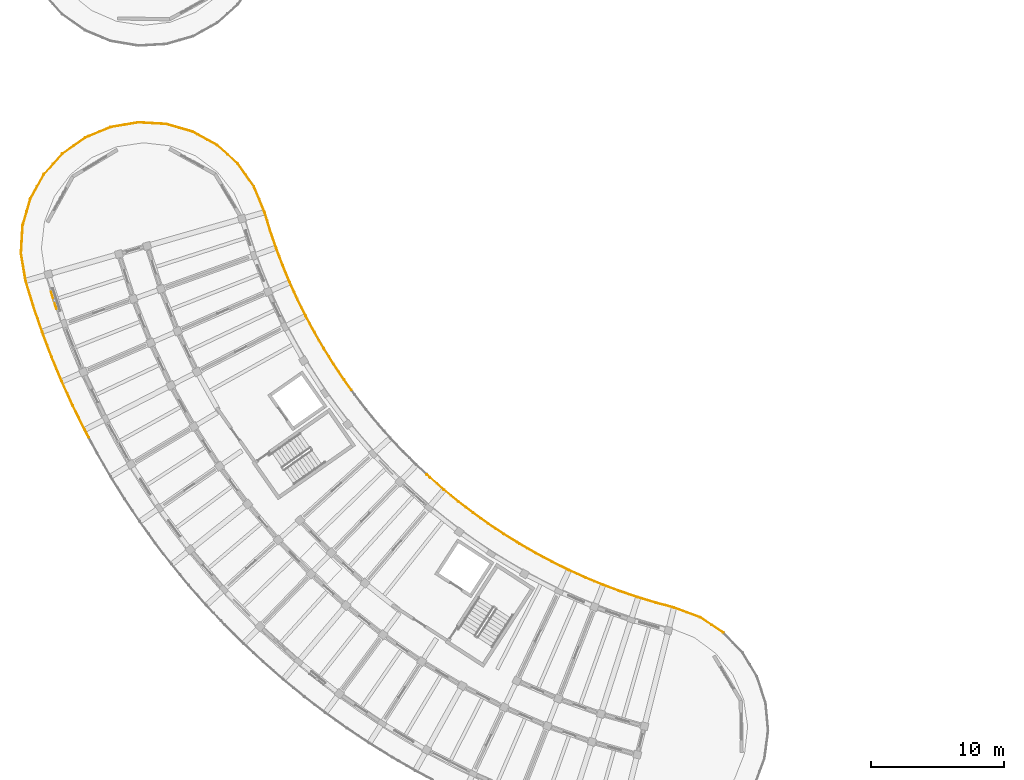
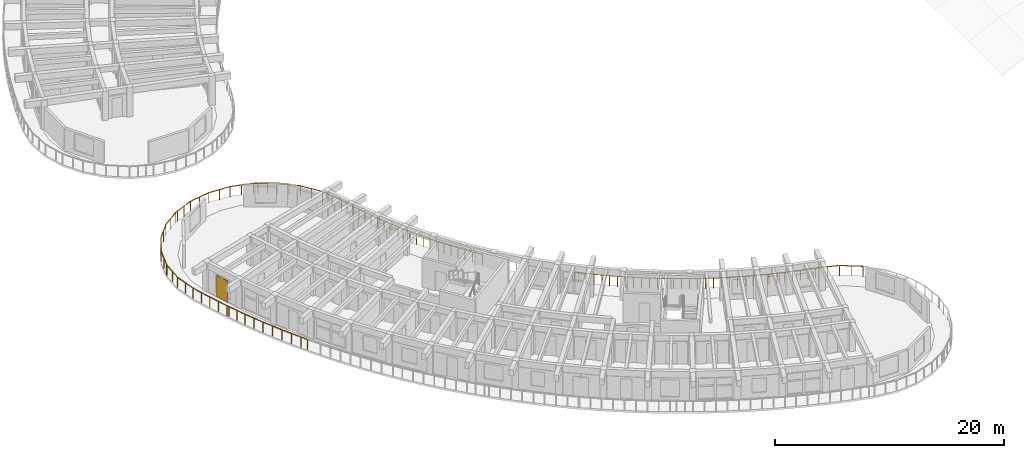
# One storey, part 82 of 96: 10 railings, 1 shading device.
"""IFC4 building model written with IfcOpenShell, lengths in metres."""

from ifc_helpers import new_model, si_unit, direction, frame, origin, origin_2d, place, context, subcontext, project, spatial, rectangle, circle, extrude, material, layer, layer_set, type_object, element, save


model = new_model("IFC4")

# Units and contexts
model_context = context("Model", 3, precision=1e-05, world=origin(), true_north=direction((0.0, 1.0)))
body_context = subcontext(model_context, "Body", "Model", "MODEL_VIEW")
ifc_project = project(units=[si_unit("LENGTHUNIT", "METRE"), si_unit("AREAUNIT", "SQUARE_METRE"), si_unit("VOLUMEUNIT", "CUBIC_METRE"), si_unit("PLANEANGLEUNIT", "RADIAN"), si_unit("MASSUNIT", "GRAM", prefix="KILO")], contexts=[model_context])

# Site, building, storey
site_placement = place(None, origin())
site = spatial("IfcSite", under=ifc_project, at=site_placement, CompositionType="ELEMENT")
building_placement = place(site_placement, origin())
building = spatial("IfcBuilding", under=site, at=building_placement, Name="Tanwirah Colonnade Gardens", CompositionType="ELEMENT")
storey_placement = place(building_placement, frame((0.0, 0.0, 12.199951171875)))
storey = spatial("IfcBuildingStorey", under=building, at=storey_placement, Name="L03", CompositionType="ELEMENT", Elevation=12.199951171875)

# Railings
ifc_material_1 = material(Name="Precast concrete C40/50", Category="concrete")
railing_type = type_object("IfcRailingType", Name="BAL-EXT110", PredefinedType="BALUSTRADE", material=ifc_material_1)
railing_1_placement = place(storey_placement, frame((23.1767578125, 54.664794921875, 0.0)))
element("IfcRailing", 1, at=railing_1_placement, inside=storey, type_object=railing_type, Name="Block C L03 Balcony Ribbon Balustrade 1", PredefinedType="BALUSTRADE", context=body_context, shape_type="SweptSolid", body=[
    extrude(circle(Radius=0.02392578125, at=origin_2d()), frame((0.011962890625, -0.02880859375, 1.076171875), z_axis=(0.381489237895, -0.92437328032, 0.0), x_axis=(0.92437328032, 0.381489237895, 0.0)), (0.0, 0.0, 1.0), 2.029541015625),
    extrude(circle(Radius=0.02392578125, at=origin_2d()), frame((0.80712890625, -1.963623046875, 1.076171875), z_axis=(0.291308344694, -0.956629211509, 0.0), x_axis=(0.956629211509, 0.291308344694, 0.0)), (0.0, 0.0, 1.0), 1.327880859375),
    extrude(circle(Radius=0.02392578125, at=origin_2d()), frame((1.2138671875, -3.2958984375, 1.076171875), z_axis=(0.322420738552, -0.946596464895, 0.0), x_axis=(0.946596464895, 0.322420738552, 0.0)), (0.0, 0.0, 1.0), 1.33154296875),
    extrude(circle(Radius=0.02392578125, at=origin_2d()), frame((1.665283203125, -4.61767578125, 1.076171875), z_axis=(0.353291566317, -0.935513265095, 0.0), x_axis=(0.935513265095, 0.353291566317, 0.0)), (0.0, 0.0, 1.0), 1.331298828125),
    extrude(circle(Radius=0.02392578125, at=origin_2d()), frame((2.15966796875, -5.923583984375, 1.076171875), z_axis=(0.383707429873, -0.923454713703, 0.0), x_axis=(0.923454713703, 0.383707429873, 0.0)), (0.0, 0.0, 1.0), 1.33154296875),
    extrude(circle(Radius=0.02392578125, at=origin_2d()), frame((2.696533203125, -7.213134765625, 1.076171875), z_axis=(0.413892102149, -0.9103259459, 0.0), x_axis=(0.9103259459, 0.413892102149, 0.0)), (0.0, 0.0, 1.0), 0.7626953125),
    extrude(circle(Radius=0.02099609375, at=origin_2d()), origin(), (0.0, 0.0, 1.0), 1.049072265625),
    extrude(circle(Radius=0.02099609375, at=origin_2d()), frame((0.39892578125, -0.966796875, 0.0)), (0.0, 0.0, 1.0), 1.049072265625),
    extrude(circle(Radius=0.02099609375, at=origin_2d()), frame((0.798095703125, -1.933837890625, 0.0)), (0.0, 0.0, 1.0), 1.049072265625),
    extrude(circle(Radius=0.02099609375, at=origin_2d()), frame((1.00048828125, -2.598876953125, 0.0)), (0.0, 0.0, 1.0), 1.049072265625),
    extrude(circle(Radius=0.02099609375, at=origin_2d()), frame((1.203125, -3.263916015625, 0.0)), (0.0, 0.0, 1.0), 1.049072265625),
    extrude(circle(Radius=0.02099609375, at=origin_2d()), frame((1.4287109375, -3.92626953125, 0.0)), (0.0, 0.0, 1.0), 1.049072265625),
    extrude(circle(Radius=0.02099609375, at=origin_2d()), frame((1.6533203125, -4.5859375, 0.0)), (0.0, 0.0, 1.0), 1.049072265625),
    extrude(circle(Radius=0.02099609375, at=origin_2d()), frame((1.900390625, -5.240234375, 0.0)), (0.0, 0.0, 1.0), 1.049072265625),
    extrude(circle(Radius=0.02099609375, at=origin_2d()), frame((2.146728515625, -5.892333984375, 0.0)), (0.0, 0.0, 1.0), 1.049072265625),
    extrude(circle(Radius=0.02099609375, at=origin_2d()), frame((2.4150390625, -6.53857421875, 0.0)), (0.0, 0.0, 1.0), 1.049072265625),
    extrude(circle(Radius=0.02099609375, at=origin_2d()), frame((2.6826171875, -7.18212890625, 0.0)), (0.0, 0.0, 1.0), 1.049072265625),
    extrude(circle(Radius=0.02099609375, at=origin_2d()), frame((3.025146484375, -7.935791015625, 0.0)), (0.0, 0.0, 1.0), 1.049072265625),
])
railing_2_placement = place(storey_placement, frame((26.201904296875, 46.72900390625, 0.0)))
element("IfcRailing", 2, at=railing_2_placement, inside=storey, type_object=railing_type, Name="Block C L03 Balcony Ribbon Balustrade 2", PredefinedType="BALUSTRADE", context=body_context, shape_type="SweptSolid", body=[
    extrude(circle(Radius=0.02392578125, at=origin_2d()), frame((0.012939453125, -0.028564453125, 1.076171875), z_axis=(0.413414773503, -0.910542818899, 0.0), x_axis=(0.910542818899, 0.413414773503, 0.0)), (0.0, 0.0, 1.0), 0.506103515625),
    extrude(circle(Radius=0.02392578125, at=origin_2d()), frame((0.250244140625, -0.54833984375, 1.076171875), z_axis=(0.443286097627, -0.896380184771, 0.0), x_axis=(0.896380184771, 0.443286097627, 0.0)), (0.0, 0.0, 1.0), 1.33154296875),
    extrude(circle(Radius=0.02392578125, at=origin_2d()), frame((0.8701171875, -1.7998046875, 1.076171875), z_axis=(0.472323466806, -0.881425290484, 0.0), x_axis=(0.881425290484, 0.472323466806, 0.0)), (0.0, 0.0, 1.0), 1.33154296875),
    extrude(circle(Radius=0.02392578125, at=origin_2d()), frame((1.53076171875, -3.0302734375, 1.076171875), z_axis=(0.501015561301, -0.865438274711, 0.0), x_axis=(0.865438274711, 0.501015561301, 0.0)), (0.0, 0.0, 1.0), 1.33154296875),
    extrude(circle(Radius=0.02392578125, at=origin_2d()), frame((2.2314453125, -4.238525390625, 1.076171875), z_axis=(0.529022666758, -0.848607693847, 0.0), x_axis=(0.848607693847, 0.529022666758, 0.0)), (0.0, 0.0, 1.0), 1.33154296875),
    extrude(circle(Radius=0.02392578125, at=origin_2d()), frame((2.970947265625, -5.423095703125, 1.076171875), z_axis=(0.55655786635, -0.830808847692, 0.0), x_axis=(0.830808847692, 0.55655786635, 0.0)), (0.0, 0.0, 1.0), 1.33154296875),
    extrude(circle(Radius=0.02392578125, at=origin_2d()), frame((3.749267578125, -6.5830078125, 1.076171875), z_axis=(0.583385919087, -0.812195093196, 0.0), x_axis=(0.812195093196, 0.583385919087, 0.0)), (0.0, 0.0, 1.0), 0.8828125),
    extrude(circle(Radius=0.02099609375, at=origin_2d()), origin(), (0.0, 0.0, 1.0), 1.049072265625),
    extrude(circle(Radius=0.02099609375, at=origin_2d()), frame((0.235107421875, -0.517822265625, 0.0)), (0.0, 0.0, 1.0), 1.049072265625),
    extrude(circle(Radius=0.02099609375, at=origin_2d()), frame((0.54541015625, -1.14501953125, 0.0)), (0.0, 0.0, 1.0), 1.049072265625),
    extrude(circle(Radius=0.02099609375, at=origin_2d()), frame((0.854248046875, -1.769775390625, 0.0)), (0.0, 0.0, 1.0), 1.049072265625),
    extrude(circle(Radius=0.02099609375, at=origin_2d()), frame((1.1845703125, -2.38671875, 0.0)), (0.0, 0.0, 1.0), 1.049072265625),
    extrude(circle(Radius=0.02099609375, at=origin_2d()), frame((1.513916015625, -3.0009765625, 0.0)), (0.0, 0.0, 1.0), 1.049072265625),
    extrude(circle(Radius=0.02099609375, at=origin_2d()), frame((1.8642578125, -3.6064453125, 0.0)), (0.0, 0.0, 1.0), 1.049072265625),
    extrude(circle(Radius=0.02099609375, at=origin_2d()), frame((2.213623046875, -4.209716796875, 0.0)), (0.0, 0.0, 1.0), 1.049072265625),
    extrude(circle(Radius=0.02099609375, at=origin_2d()), frame((2.58349609375, -4.803466796875, 0.0)), (0.0, 0.0, 1.0), 1.049072265625),
    extrude(circle(Radius=0.02099609375, at=origin_2d()), frame((2.952392578125, -5.39501953125, 0.0)), (0.0, 0.0, 1.0), 1.049072265625),
    extrude(circle(Radius=0.02099609375, at=origin_2d()), frame((3.341552734375, -5.976318359375, 0.0)), (0.0, 0.0, 1.0), 1.049072265625),
    extrude(circle(Radius=0.02099609375, at=origin_2d()), frame((3.7294921875, -6.555419921875, 0.0)), (0.0, 0.0, 1.0), 1.049072265625),
    extrude(circle(Radius=0.02099609375, at=origin_2d()), frame((4.282470703125, -7.325439453125, 0.0)), (0.0, 0.0, 1.0), 1.049072265625),
])
railing_3_placement = place(storey_placement, frame((36.13134765625, 33.070068359375, 0.0)))
element("IfcRailing", 3, at=railing_3_placement, inside=storey, type_object=railing_type, Name="Block C L03 Balcony Ribbon Balustrade 4", PredefinedType="BALUSTRADE", context=body_context, shape_type="SweptSolid", body=[
    extrude(circle(Radius=0.02392578125, at=origin_2d()), frame((0.02294921875, -0.021240234375, 1.076171875), z_axis=(0.730857442629, -0.682530144795, 0.0), x_axis=(0.682530144795, 0.730857442629, 0.0)), (0.0, 0.0, 1.0), 0.265869140625),
    extrude(circle(Radius=0.02392578125, at=origin_2d()), frame((0.265380859375, -0.24658203125, 1.076171875), z_axis=(0.752565845379, -0.658517006894, 0.0), x_axis=(0.658517006894, 0.752565845379, 0.0)), (0.0, 0.0, 1.0), 1.33154296875),
    extrude(circle(Radius=0.02392578125, at=origin_2d()), frame((1.317138671875, -1.16552734375, 1.076171875), z_axis=(0.773762182392, -0.633476191424, 0.0), x_axis=(0.633476191424, 0.773762182392, 0.0)), (0.0, 0.0, 1.0), 1.33154296875),
    extrude(circle(Radius=0.02392578125, at=origin_2d()), frame((2.398681640625, -2.049560546875, 1.076171875), z_axis=(0.793969886309, -0.607957087001, 0.0), x_axis=(0.607957087001, 0.793969886309, 0.0)), (0.0, 0.0, 1.0), 1.331298828125),
    extrude(circle(Radius=0.02392578125, at=origin_2d()), frame((3.508056640625, -2.8974609375, 1.076171875), z_axis=(0.813473063063, -0.581602592558, 0.0), x_axis=(0.581602592558, 0.813473063063, 0.0)), (0.0, 0.0, 1.0), 1.33154296875),
    extrude(circle(Radius=0.02392578125, at=origin_2d()), frame((4.64501953125, -3.708984375, 1.076171875), z_axis=(0.832077237554, -0.554659779274, 0.0), x_axis=(0.554659779274, 0.832077237554, 0.0)), (0.0, 0.0, 1.0), 1.33154296875),
    extrude(circle(Radius=0.02392578125, at=origin_2d()), frame((5.8076171875, -4.482666015625, 1.076171875), z_axis=(0.849786479113, -0.527127062401, 0.0), x_axis=(0.527127062401, 0.849786479113, 0.0)), (0.0, 0.0, 1.0), 1.123046875),
    extrude(circle(Radius=0.02099609375, at=origin_2d()), origin(), (0.0, 0.0, 1.0), 1.049072265625),
    extrude(circle(Radius=0.02099609375, at=origin_2d()), frame((0.239990234375, -0.22412109375, 0.0)), (0.0, 0.0, 1.0), 1.049072265625),
    extrude(circle(Radius=0.02099609375, at=origin_2d()), frame((0.7666015625, -0.68505859375, 0.0)), (0.0, 0.0, 1.0), 1.049072265625),
    extrude(circle(Radius=0.02099609375, at=origin_2d()), frame((1.291015625, -1.14404296875, 0.0)), (0.0, 0.0, 1.0), 1.049072265625),
    extrude(circle(Radius=0.02099609375, at=origin_2d()), frame((1.832275390625, -1.58740234375, 0.0)), (0.0, 0.0, 1.0), 1.049072265625),
    extrude(circle(Radius=0.02099609375, at=origin_2d()), frame((2.37158203125, -2.02880859375, 0.0)), (0.0, 0.0, 1.0), 1.049072265625),
    extrude(circle(Radius=0.02099609375, at=origin_2d()), frame((2.92724609375, -2.4541015625, 0.0)), (0.0, 0.0, 1.0), 1.049072265625),
    extrude(circle(Radius=0.02099609375, at=origin_2d()), frame((3.48046875, -2.8779296875, 0.0)), (0.0, 0.0, 1.0), 1.049072265625),
    extrude(circle(Radius=0.02099609375, at=origin_2d()), frame((4.0498046875, -3.28466796875, 0.0)), (0.0, 0.0, 1.0), 1.049072265625),
    extrude(circle(Radius=0.02099609375, at=origin_2d()), frame((4.61669921875, -3.690185546875, 0.0)), (0.0, 0.0, 1.0), 1.049072265625),
    extrude(circle(Radius=0.02099609375, at=origin_2d()), frame((5.19873046875, -4.078125, 0.0)), (0.0, 0.0, 1.0), 1.049072265625),
    extrude(circle(Radius=0.02099609375, at=origin_2d()), frame((5.77880859375, -4.46484375, 0.0)), (0.0, 0.0, 1.0), 1.049072265625),
    extrude(circle(Radius=0.02099609375, at=origin_2d()), frame((6.78857421875, -5.09130859375, 0.0)), (0.0, 0.0, 1.0), 1.049072265625),
])
railing_4_placement = place(storey_placement, frame((42.919921875, 27.978759765625, 0.0)))
element("IfcRailing", 4, at=railing_4_placement, inside=storey, type_object=railing_type, Name="Block C L03 Balcony Ribbon Balustrade 5", PredefinedType="BALUSTRADE", context=body_context, shape_type="SweptSolid", body=[
    extrude(circle(Radius=0.02392578125, at=origin_2d()), frame((0.026611328125, -0.0166015625, 1.076171875), z_axis=(0.849640166198, -0.527362861778, 0.0), x_axis=(0.527362861778, 0.849640166198, 0.0)), (0.0, 0.0, 1.0), 0.145751953125),
    extrude(circle(Radius=0.02392578125, at=origin_2d()), frame((0.206298828125, -0.126708984375, 1.076171875), z_axis=(0.866535241782, -0.499115893104, 0.0), x_axis=(0.499115893104, 0.866535241782, 0.0)), (0.0, 0.0, 1.0), 1.33154296875),
    extrude(circle(Radius=0.02392578125, at=origin_2d()), frame((1.417236328125, -0.82275390625, 1.076171875), z_axis=(0.88242081136, -0.470460956593, 0.0), x_axis=(0.470460956593, 0.88242081136, 0.0)), (0.0, 0.0, 1.0), 1.331298828125),
    extrude(circle(Radius=0.02392578125, at=origin_2d()), frame((2.650146484375, -1.47900390625, 1.076171875), z_axis=(0.897349966121, -0.441319655469, 0.0), x_axis=(0.441319655469, 0.897349966121, 0.0)), (0.0, 0.0, 1.0), 1.33154296875),
    extrude(circle(Radius=0.02392578125, at=origin_2d()), frame((3.90380859375, -2.094482421875, 1.076171875), z_axis=(0.911383314029, -0.411558568018, 0.0), x_axis=(0.411558568018, 0.911383314029, 0.0)), (0.0, 0.0, 1.0), 1.33154296875),
    extrude(circle(Radius=0.02392578125, at=origin_2d()), frame((5.177001953125, -2.66845703125, 1.076171875), z_axis=(0.924300384608, -0.381665821122, 0.0), x_axis=(0.381665821122, 0.924300384608, 0.0)), (0.0, 0.0, 1.0), 1.331298828125),
    extrude(circle(Radius=0.02392578125, at=origin_2d()), frame((6.46826171875, -3.200439453125, 1.076171875), z_axis=(0.936267698759, -0.351287341447, 0.0), x_axis=(0.351287341447, 0.936267698759, 0.0)), (0.0, 0.0, 1.0), 1.243408203125),
    extrude(circle(Radius=0.02099609375, at=origin_2d()), origin(), (0.0, 0.0, 1.0), 1.049072265625),
    extrude(circle(Radius=0.02099609375, at=origin_2d()), frame((0.177001953125, -0.10986328125, 0.0)), (0.0, 0.0, 1.0), 1.049072265625),
    extrude(circle(Radius=0.02099609375, at=origin_2d()), frame((0.783203125, -0.458984375, 0.0)), (0.0, 0.0, 1.0), 1.049072265625),
    extrude(circle(Radius=0.02099609375, at=origin_2d()), frame((1.38720703125, -0.806884765625, 0.0)), (0.0, 0.0, 1.0), 1.049072265625),
    extrude(circle(Radius=0.02099609375, at=origin_2d()), frame((2.004638671875, -1.135986328125, 0.0)), (0.0, 0.0, 1.0), 1.049072265625),
    extrude(circle(Radius=0.02099609375, at=origin_2d()), frame((2.61962890625, -1.4638671875, 0.0)), (0.0, 0.0, 1.0), 1.049072265625),
    extrude(circle(Radius=0.02099609375, at=origin_2d()), frame((3.24755859375, -1.772705078125, 0.0)), (0.0, 0.0, 1.0), 1.049072265625),
    extrude(circle(Radius=0.02099609375, at=origin_2d()), frame((3.873046875, -2.080322265625, 0.0)), (0.0, 0.0, 1.0), 1.049072265625),
    extrude(circle(Radius=0.02099609375, at=origin_2d()), frame((4.510498046875, -2.368408203125, 0.0)), (0.0, 0.0, 1.0), 1.049072265625),
    extrude(circle(Radius=0.02099609375, at=origin_2d()), frame((5.145751953125, -2.6552734375, 0.0)), (0.0, 0.0, 1.0), 1.049072265625),
    extrude(circle(Radius=0.02099609375, at=origin_2d()), frame((5.79248046875, -2.92236328125, 0.0)), (0.0, 0.0, 1.0), 1.049072265625),
    extrude(circle(Radius=0.02099609375, at=origin_2d()), frame((6.4365234375, -3.1884765625, 0.0)), (0.0, 0.0, 1.0), 1.049072265625),
    extrude(circle(Radius=0.02099609375, at=origin_2d()), frame((7.66162109375, -3.648193359375, 0.0)), (0.0, 0.0, 1.0), 1.049072265625),
])
railing_5_placement = place(storey_placement, frame((50.58154296875, 24.33056640625, 0.0)))
element("IfcRailing", 5, at=railing_5_placement, inside=storey, type_object=railing_type, Name="Block C L03 Balcony Ribbon Balustrade 6", PredefinedType="BALUSTRADE", context=body_context, shape_type="SweptSolid", body=[
    extrude(circle(Radius=0.02392578125, at=origin_2d()), frame((0.029296875, -0.010986328125, 1.076171875), z_axis=(0.937010964775, -0.349299945449, 0.0), x_axis=(0.349299945449, 0.937010964775, 0.0)), (0.0, 0.0, 1.0), 0.025634765625),
    extrude(circle(Radius=0.02392578125, at=origin_2d()), frame((0.114501953125, -0.041748046875, 1.076171875), z_axis=(0.947255234668, -0.320480140404, 0.0), x_axis=(0.320480140404, 0.947255234668, 0.0)), (0.0, 0.0, 1.0), 1.33154296875),
    extrude(circle(Radius=0.02392578125, at=origin_2d()), frame((1.438232421875, -0.48828125, 1.076171875), z_axis=(0.957270084886, -0.289195408993, 0.0), x_axis=(0.289195408993, 0.957270084886, 0.0)), (0.0, 0.0, 1.0), 1.331298828125),
    extrude(circle(Radius=0.02392578125, at=origin_2d()), frame((2.775390625, -0.89111328125, 1.076171875), z_axis=(0.96619995466, -0.257793808332, 0.0), x_axis=(0.257793808332, 0.96619995466, 0.0)), (0.0, 0.0, 1.0), 1.32763671875),
    extrude(circle(Radius=0.02392578125, at=origin_2d()), frame((4.11767578125, -1.25244140625, 1.076171875), z_axis=(0.937103821965, -0.349050751121, 0.0), x_axis=(0.349050751121, 0.937103821965, 0.0)), (0.0, 0.0, 1.0), 2.029541015625),
    extrude(circle(Radius=0.02392578125, at=origin_2d()), frame((6.074951171875, -1.98876953125, 1.076171875), z_axis=(0.835935529347, -0.548827651248, 0.0), x_axis=(0.548827651248, 0.835935529347, 0.0)), (0.0, 0.0, 1.0), 2.024169921875),
    extrude(circle(Radius=0.02099609375, at=origin_2d()), origin(), (0.0, 0.0, 1.0), 1.049072265625),
    extrude(circle(Radius=0.02099609375, at=origin_2d()), frame((0.08251953125, -0.03076171875, 0.0)), (0.0, 0.0, 1.0), 1.049072265625),
    extrude(circle(Radius=0.02099609375, at=origin_2d()), frame((0.7451171875, -0.255126953125, 0.0)), (0.0, 0.0, 1.0), 1.049072265625),
    extrude(circle(Radius=0.02099609375, at=origin_2d()), frame((1.405517578125, -0.478515625, 0.0)), (0.0, 0.0, 1.0), 1.049072265625),
    extrude(circle(Radius=0.02099609375, at=origin_2d()), frame((2.0751953125, -0.6806640625, 0.0)), (0.0, 0.0, 1.0), 1.049072265625),
    extrude(circle(Radius=0.02099609375, at=origin_2d()), frame((2.742431640625, -0.88232421875, 0.0)), (0.0, 0.0, 1.0), 1.049072265625),
    extrude(circle(Radius=0.02099609375, at=origin_2d()), frame((3.416748046875, -1.062255859375, 0.0)), (0.0, 0.0, 1.0), 1.049072265625),
    extrude(circle(Radius=0.02099609375, at=origin_2d()), frame((4.08837890625, -1.241455078125, 0.0)), (0.0, 0.0, 1.0), 1.049072265625),
    extrude(circle(Radius=0.02099609375, at=origin_2d()), frame((5.068603515625, -1.6064453125, 0.0)), (0.0, 0.0, 1.0), 1.049072265625),
    extrude(circle(Radius=0.02099609375, at=origin_2d()), frame((6.048828125, -1.9716796875, 0.0)), (0.0, 0.0, 1.0), 1.049072265625),
    extrude(circle(Radius=0.02099609375, at=origin_2d()), frame((6.9208984375, -2.54443359375, 0.0)), (0.0, 0.0, 1.0), 1.049072265625),
    extrude(circle(Radius=0.02099609375, at=origin_2d()), frame((7.793212890625, -3.116943359375, 0.0)), (0.0, 0.0, 1.0), 1.049072265625),
])
railing_6_placement = place(storey_placement, frame((10.80078125, 35.834716796875, 0.0)))
element("IfcRailing", 6, at=railing_6_placement, inside=storey, type_object=railing_type, Name="Block C L03 Balcony Ribbon Balustrade 16", PredefinedType="BALUSTRADE", context=body_context, shape_type="SweptSolid", body=[
    extrude(circle(Radius=0.02392578125, at=origin_2d()), frame((-0.0146484375, 0.027587890625, 1.076171875), z_axis=(-0.472201112316, 0.881490844835, 0.0), x_axis=(-0.881490844835, -0.472201112316, 0.0)), (0.0, 0.0, 1.0), 0.60498046875),
    extrude(circle(Radius=0.02392578125, at=origin_2d()), frame((-0.3291015625, 0.616455078125, 1.076171875), z_axis=(-0.443316350815, 0.896365223054, 0.0), x_axis=(-0.896365223054, -0.443316350815, 0.0)), (0.0, 0.0, 1.0), 1.9443359375),
    extrude(circle(Radius=0.02392578125, at=origin_2d()), frame((-1.2177734375, 2.415771484375, 1.076171875), z_axis=(-0.413665439989, 0.910428966893, 0.0), x_axis=(-0.910428966893, -0.413665439989, 0.0)), (0.0, 0.0, 1.0), 1.944091796875),
    extrude(circle(Radius=0.02392578125, at=origin_2d()), frame((-2.046875, 4.242919921875, 1.076171875), z_axis=(-0.383777149523, 0.923425741196, 0.0), x_axis=(-0.923425741196, -0.383777149523, 0.0)), (0.0, 0.0, 1.0), 1.94384765625),
    extrude(circle(Radius=0.02392578125, at=origin_2d()), frame((-2.81591796875, 6.09619140625, 1.076171875), z_axis=(-0.353159580161, 0.935563098321, 0.0), x_axis=(-0.935563098321, -0.353159580161, 0.0)), (0.0, 0.0, 1.0), 1.75),
    extrude(circle(Radius=0.02099609375, at=origin_2d()), origin(), (0.0, 0.0, 1.0), 1.049072265625),
    extrude(circle(Radius=0.02099609375, at=origin_2d()), frame((-0.315185546875, 0.58837890625, 0.0)), (0.0, 0.0, 1.0), 1.049072265625),
    extrude(circle(Radius=0.02099609375, at=origin_2d()), frame((-0.760009765625, 1.48779296875, 0.0)), (0.0, 0.0, 1.0), 1.049072265625),
    extrude(circle(Radius=0.02099609375, at=origin_2d()), frame((-1.204833984375, 2.38720703125, 0.0)), (0.0, 0.0, 1.0), 1.049072265625),
    extrude(circle(Radius=0.02099609375, at=origin_2d()), frame((-1.619873046875, 3.30078125, 0.0)), (0.0, 0.0, 1.0), 1.049072265625),
    extrude(circle(Radius=0.02099609375, at=origin_2d()), frame((-2.034912109375, 4.214111328125, 0.0)), (0.0, 0.0, 1.0), 1.049072265625),
    extrude(circle(Radius=0.02099609375, at=origin_2d()), frame((-2.419921875, 5.140625, 0.0)), (0.0, 0.0, 1.0), 1.049072265625),
    extrude(circle(Radius=0.02099609375, at=origin_2d()), frame((-2.804931640625, 6.06689453125, 0.0)), (0.0, 0.0, 1.0), 1.049072265625),
    extrude(circle(Radius=0.02099609375, at=origin_2d()), frame((-3.125, 6.914794921875, 0.0)), (0.0, 0.0, 1.0), 1.049072265625),
    extrude(circle(Radius=0.02099609375, at=origin_2d()), frame((-3.445068359375, 7.7626953125, 0.0)), (0.0, 0.0, 1.0), 1.049072265625),
])
railing_7_placement = place(storey_placement, frame((7.355712890625, 43.597412109375, 0.0)))
element("IfcRailing", 7, at=railing_7_placement, inside=storey, type_object=railing_type, Name="Block C L03 Balcony Ribbon Balustrade 17", PredefinedType="BALUSTRADE", context=body_context, shape_type="SweptSolid", body=[
    extrude(circle(Radius=0.02392578125, at=origin_2d()), frame((-0.010986328125, 0.029296875, 1.076171875), z_axis=(-0.353327210697, 0.935499803411, 0.0), x_axis=(-0.935499803411, -0.353327210697, 0.0)), (0.0, 0.0, 1.0), 0.131591796875),
    extrude(circle(Radius=0.02392578125, at=origin_2d()), frame((-0.07861328125, 0.211181640625, 1.076171875), z_axis=(-0.322426184604, 0.946594609895, 0.0), x_axis=(-0.946594609895, -0.322426184604, 0.0)), (0.0, 0.0, 1.0), 1.944091796875),
    extrude(circle(Radius=0.02392578125, at=origin_2d()), frame((-0.724609375, 2.11083984375, 1.076171875), z_axis=(-0.291360501176, 0.956613327502, 0.0), x_axis=(-0.956613327502, -0.291360501176, 0.0)), (0.0, 0.0, 1.0), 1.940185546875),
    extrude(circle(Radius=0.02392578125, at=origin_2d()), frame((-1.30419921875, 4.027587890625, 1.076171875), z_axis=(-0.166273240714, 0.98607971758, 0.0), x_axis=(-0.98607971758, -0.166273240714, 0.0)), (0.0, 0.0, 1.0), 2.0283203125),
    extrude(circle(Radius=0.02392578125, at=origin_2d()), frame((-1.64501953125, 6.08984375, 1.076171875), z_axis=(0.057322977065, 0.998355686266, 0.0), x_axis=(-0.998355686266, 0.057322977065, 0.0)), (0.0, 0.0, 1.0), 2.0244140625),
    extrude(circle(Radius=0.02392578125, at=origin_2d()), frame((-1.518310546875, 8.172119140625, 1.076171875), z_axis=(0.277708416947, 0.960665412699, 0.0), x_axis=(-0.960665412699, 0.277708416947, 0.0)), (0.0, 0.0, 1.0), 0.05615234375),
    extrude(circle(Radius=0.02099609375, at=origin_2d()), origin(), (0.0, 0.0, 1.0), 1.049072265625),
    extrude(circle(Radius=0.02099609375, at=origin_2d()), frame((-0.068603515625, 0.181640625, 0.0)), (0.0, 0.0, 1.0), 1.049072265625),
    extrude(circle(Radius=0.02099609375, at=origin_2d()), frame((-0.39208984375, 1.13134765625, 0.0)), (0.0, 0.0, 1.0), 1.049072265625),
    extrude(circle(Radius=0.02099609375, at=origin_2d()), frame((-0.715576171875, 2.0810546875, 0.0)), (0.0, 0.0, 1.0), 1.049072265625),
    extrude(circle(Radius=0.02099609375, at=origin_2d()), frame((-1.00732421875, 3.0390625, 0.0)), (0.0, 0.0, 1.0), 1.049072265625),
    extrude(circle(Radius=0.02099609375, at=origin_2d()), frame((-1.299072265625, 3.996826171875, 0.0)), (0.0, 0.0, 1.0), 1.049072265625),
    extrude(circle(Radius=0.02099609375, at=origin_2d()), frame((-1.472900390625, 5.02783203125, 0.0)), (0.0, 0.0, 1.0), 1.049072265625),
    extrude(circle(Radius=0.02099609375, at=origin_2d()), frame((-1.646728515625, 6.05859375, 0.0)), (0.0, 0.0, 1.0), 1.049072265625),
    extrude(circle(Radius=0.02099609375, at=origin_2d()), frame((-1.5869140625, 7.100341796875, 0.0)), (0.0, 0.0, 1.0), 1.049072265625),
    extrude(circle(Radius=0.02099609375, at=origin_2d()), frame((-1.527099609375, 8.14208984375, 0.0)), (0.0, 0.0, 1.0), 1.049072265625),
    extrude(circle(Radius=0.02099609375, at=origin_2d()), frame((-1.494140625, 8.256103515625, 0.0)), (0.0, 0.0, 1.0), 1.049072265625),
])
railing_8_placement = place(storey_placement, frame((5.861572265625, 51.853515625, 0.0)))
element("IfcRailing", 8, at=railing_8_placement, inside=storey, type_object=railing_type, Name="Block C L03 Balcony Ribbon Balustrade 18", PredefinedType="BALUSTRADE", context=body_context, shape_type="SweptSolid", body=[
    extrude(circle(Radius=0.02392578125, at=origin_2d()), frame((0.0087890625, 0.030029296875, 1.076171875), z_axis=(0.278012892346, 0.960577342898, 0.0), x_axis=(-0.960577342898, 0.278012892346, 0.0)), (0.0, 0.0, 1.0), 1.905517578125),
    extrude(circle(Radius=0.02392578125, at=origin_2d()), frame((0.562255859375, 1.917724609375, 1.076171875), z_axis=(0.484758723036, 0.874647917988, 0.0), x_axis=(-0.874647917988, 0.484758723036, 0.0)), (0.0, 0.0, 1.0), 2.0244140625),
    extrude(circle(Radius=0.02392578125, at=origin_2d()), frame((1.57958984375, 3.739013671875, 1.076171875), z_axis=(0.667321336148, 0.744769920393, 0.0), x_axis=(-0.744769920393, 0.667321336148, 0.0)), (0.0, 0.0, 1.0), 2.0244140625),
    extrude(circle(Radius=0.02392578125, at=origin_2d()), frame((2.97705078125, 5.2880859375, 1.076171875), z_axis=(0.816286486525, 0.577647272924, 0.0), x_axis=(-0.577647272924, 0.816286486525, 0.0)), (0.0, 0.0, 1.0), 2.0244140625),
    extrude(circle(Radius=0.02392578125, at=origin_2d()), frame((4.683837890625, 6.487548828125, 1.076171875), z_axis=(0.924323547442, 0.381609721631, 0.0), x_axis=(-0.381609721631, 0.924323547442, 0.0)), (0.0, 0.0, 1.0), 0.208740234375),
    extrude(circle(Radius=0.02099609375, at=origin_2d()), origin(), (0.0, 0.0, 1.0), 1.049072265625),
    extrude(circle(Radius=0.02099609375, at=origin_2d()), frame((0.2734375, 0.9453125, 0.0)), (0.0, 0.0, 1.0), 1.049072265625),
    extrude(circle(Radius=0.02099609375, at=origin_2d()), frame((0.547119140625, 1.890380859375, 0.0)), (0.0, 0.0, 1.0), 1.049072265625),
    extrude(circle(Radius=0.02099609375, at=origin_2d()), frame((1.052978515625, 2.80322265625, 0.0)), (0.0, 0.0, 1.0), 1.049072265625),
    extrude(circle(Radius=0.02099609375, at=origin_2d()), frame((1.558837890625, 3.7158203125, 0.0)), (0.0, 0.0, 1.0), 1.049072265625),
    extrude(circle(Radius=0.02099609375, at=origin_2d()), frame((2.255126953125, 4.492919921875, 0.0)), (0.0, 0.0, 1.0), 1.049072265625),
    extrude(circle(Radius=0.02099609375, at=origin_2d()), frame((2.951416015625, 5.27001953125, 0.0)), (0.0, 0.0, 1.0), 1.049072265625),
    extrude(circle(Radius=0.02099609375, at=origin_2d()), frame((3.80322265625, 5.872802734375, 0.0)), (0.0, 0.0, 1.0), 1.049072265625),
    extrude(circle(Radius=0.02099609375, at=origin_2d()), frame((4.655029296875, 6.4755859375, 0.0)), (0.0, 0.0, 1.0), 1.049072265625),
    extrude(circle(Radius=0.02099609375, at=origin_2d()), frame((4.90576171875, 6.5791015625, 0.0)), (0.0, 0.0, 1.0), 1.049072265625),
])
railing_9_placement = place(storey_placement, frame((10.767333984375, 58.4326171875, 0.0)))
element("IfcRailing", 9, at=railing_9_placement, inside=storey, type_object=railing_type, Name="Block C L03 Balcony Ribbon Balustrade 19", PredefinedType="BALUSTRADE", context=body_context, shape_type="SweptSolid", body=[
    extrude(circle(Radius=0.02392578125, at=origin_2d()), frame((0.02880859375, 0.011962890625, 1.076171875), z_axis=(0.92436866453, 0.381500422064, 0.0), x_axis=(-0.381500422064, 0.92436866453, 0.0)), (0.0, 0.0, 1.0), 1.7529296875),
    extrude(circle(Radius=0.02392578125, at=origin_2d()), frame((1.708984375, 0.69775390625, 1.076171875), z_axis=(0.986066327641, 0.166352629957, 0.0), x_axis=(-0.166352629957, 0.986066327641, 0.0)), (0.0, 0.0, 1.0), 2.0244140625),
    extrude(circle(Radius=0.02392578125, at=origin_2d()), frame((3.767333984375, 1.0380859375, 1.076171875), z_axis=(0.998355686266, -0.057322977065, 0.0), x_axis=(0.057322977065, 0.998355686266, 0.0)), (0.0, 0.0, 1.0), 2.0244140625),
    extrude(circle(Radius=0.02392578125, at=origin_2d()), frame((5.849609375, 0.911376953125, 1.076171875), z_axis=(0.960560153031, -0.278072279108, 0.0), x_axis=(0.278072279108, 0.960560153031, 0.0)), (0.0, 0.0, 1.0), 2.0244140625),
    extrude(circle(Radius=0.02392578125, at=origin_2d()), frame((7.8515625, 0.32470703125, 1.076171875), z_axis=(0.874592040268, -0.484859529245, 0.0), x_axis=(0.484859529245, 0.874592040268, 0.0)), (0.0, 0.0, 1.0), 0.36083984375),
    extrude(circle(Radius=0.02099609375, at=origin_2d()), origin(), (0.0, 0.0, 1.0), 1.049072265625),
    extrude(circle(Radius=0.02099609375, at=origin_2d()), frame((0.839111328125, 0.34619140625, 0.0)), (0.0, 0.0, 1.0), 1.049072265625),
    extrude(circle(Radius=0.02099609375, at=origin_2d()), frame((1.67822265625, 0.692626953125, 0.0)), (0.0, 0.0, 1.0), 1.049072265625),
    extrude(circle(Radius=0.02099609375, at=origin_2d()), frame((2.70703125, 0.8662109375, 0.0)), (0.0, 0.0, 1.0), 1.049072265625),
    extrude(circle(Radius=0.02099609375, at=origin_2d()), frame((3.736083984375, 1.039794921875, 0.0)), (0.0, 0.0, 1.0), 1.049072265625),
    extrude(circle(Radius=0.02099609375, at=origin_2d()), frame((4.77783203125, 0.97998046875, 0.0)), (0.0, 0.0, 1.0), 1.049072265625),
    extrude(circle(Radius=0.02099609375, at=origin_2d()), frame((5.819580078125, 0.920166015625, 0.0)), (0.0, 0.0, 1.0), 1.049072265625),
    extrude(circle(Radius=0.02099609375, at=origin_2d()), frame((6.82177734375, 0.6298828125, 0.0)), (0.0, 0.0, 1.0), 1.049072265625),
    extrude(circle(Radius=0.02099609375, at=origin_2d()), frame((7.82421875, 0.33984375, 0.0)), (0.0, 0.0, 1.0), 1.049072265625),
    extrude(circle(Radius=0.02099609375, at=origin_2d()), frame((8.194580078125, 0.134521484375, 0.0)), (0.0, 0.0, 1.0), 1.049072265625),
])
railing_10_placement = place(storey_placement, frame((18.9619140625, 58.567138671875, 0.0)))
element("IfcRailing", 10, at=railing_10_placement, inside=storey, type_object=railing_type, Name="Block C L03 Balcony Ribbon Balustrade 20", PredefinedType="BALUSTRADE", context=body_context, shape_type="SweptSolid", body=[
    extrude(circle(Radius=0.02392578125, at=origin_2d()), frame((0.02734375, -0.01513671875, 1.076171875), z_axis=(0.874627650651, -0.484795289495, 0.0), x_axis=(0.484795289495, 0.874627650651, 0.0)), (0.0, 0.0, 1.0), 1.600830078125),
    extrude(circle(Radius=0.02392578125, at=origin_2d()), frame((1.47802734375, -0.8271484375, 1.076171875), z_axis=(0.744822012119, -0.667263194146, 0.0), x_axis=(0.667263194146, 0.744822012119, 0.0)), (0.0, 0.0, 1.0), 2.0244140625),
    extrude(circle(Radius=0.02392578125, at=origin_2d()), frame((3.02734375, -2.224609375, 1.076171875), z_axis=(0.577702435947, -0.81624744747, 0.0), x_axis=(0.81624744747, 0.577702435947, 0.0)), (0.0, 0.0, 1.0), 2.0244140625),
    extrude(circle(Radius=0.02099609375, at=origin_2d()), origin(), (0.0, 0.0, 1.0), 1.049072265625),
    extrude(circle(Radius=0.02099609375, at=origin_2d()), frame((0.7275390625, -0.4033203125, 0.0)), (0.0, 0.0, 1.0), 1.049072265625),
    extrude(circle(Radius=0.02099609375, at=origin_2d()), frame((1.454833984375, -0.806396484375, 0.0)), (0.0, 0.0, 1.0), 1.049072265625),
    extrude(circle(Radius=0.02099609375, at=origin_2d()), frame((2.23193359375, -1.502685546875, 0.0)), (0.0, 0.0, 1.0), 1.049072265625),
    extrude(circle(Radius=0.02099609375, at=origin_2d()), frame((3.00927734375, -2.198974609375, 0.0)), (0.0, 0.0, 1.0), 1.049072265625),
    extrude(circle(Radius=0.02099609375, at=origin_2d()), frame((3.612060546875, -3.05078125, 0.0)), (0.0, 0.0, 1.0), 1.049072265625),
    extrude(circle(Radius=0.02099609375, at=origin_2d()), frame((4.21484375, -3.90234375, 0.0)), (0.0, 0.0, 1.0), 1.049072265625),
])

# Shading device
ifc_material_2 = material(Name="Perforated architectural bronze aluminium", Category="aluminium")
ifc_layer = layer(ifc_material_2, 0.044921875)
ifc_layer_set = layer_set([ifc_layer], Name="Perforated architectural bronze aluminium")
shading_device_type = type_object("IfcShadingDeviceType", Name="SHD-MSH1", PredefinedType="JALOUSIE", material=ifc_layer_set)
shading_device_placement = place(storey_placement, frame((8.16162109375, 46.121826171875, 0.0), z_axis=(0.0, 0.0, 1.0), x_axis=(0.30694295016, -0.951727915608, 0.0)))
element("IfcShadingDevice", 11, at=shading_device_placement, inside=storey, type_object=shading_device_type, Name="Bronze mashrabiya solar screen C-L03-00", PredefinedType="JALOUSIE", context=body_context, shape_type="SweptSolid", body=[
    extrude(rectangle(XDim=1.35009765625, YDim=0.044921875, at=origin_2d()), origin(), (0.0, 0.0, 1.0), 2.300048828125),
])

save(model, "model.ifc")
